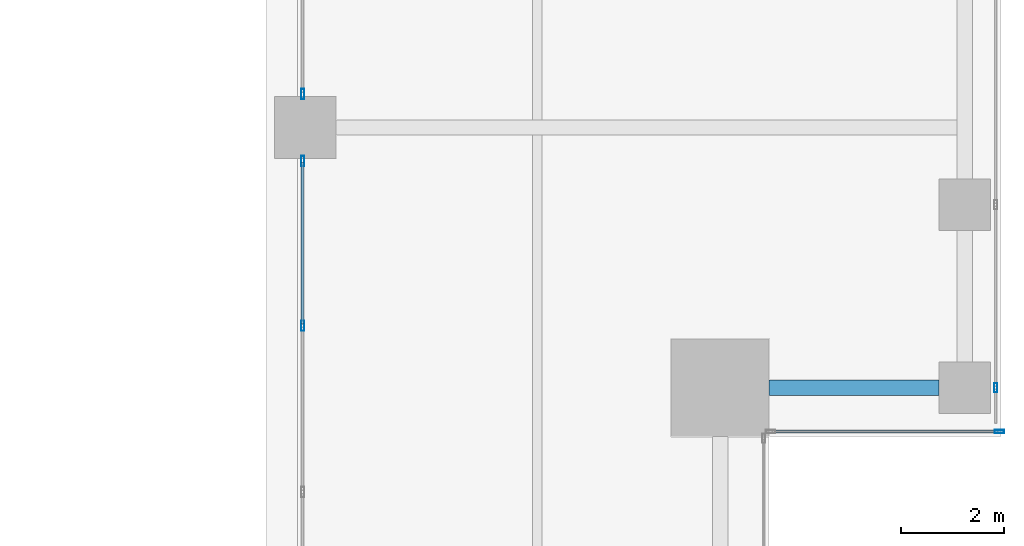
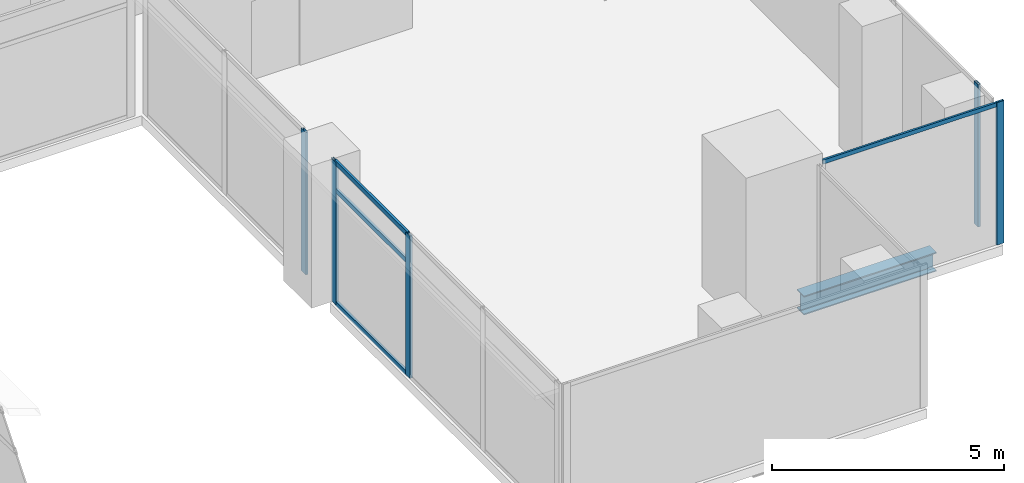
# One storey, part 11 of 38: 9 members, 1 beam, 4 elements without a shape of their own.
"""IFC4 building model written with IfcOpenShell, lengths in metres."""

from ifc_helpers import new_model, si_unit, direction, frame, origin, origin_2d, place, context, subcontext, project, spatial, hollow_rectangle, i_section, extrude, source, transform, mapped, material, material_profile, profile_set, type_object, element, aggregate, save


model = new_model("IFC4")

# Units and contexts
model_context = context("Model", 3, precision=1e-05, world=origin(), true_north=direction((0.0, 1.0)))
body_context = subcontext(model_context, "Body", "Model", "MODEL_VIEW")
ifc_project = project(units=[si_unit("LENGTHUNIT", "METRE"), si_unit("AREAUNIT", "SQUARE_METRE"), si_unit("VOLUMEUNIT", "CUBIC_METRE"), si_unit("PLANEANGLEUNIT", "RADIAN"), si_unit("MASSUNIT", "GRAM", prefix="KILO")], contexts=[model_context])

# Site, building, storey
site_placement = place(None, origin())
site = spatial("IfcSite", under=ifc_project, at=site_placement, CompositionType="ELEMENT")
building_placement = place(site_placement, origin())
building = spatial("IfcBuilding", under=site, at=building_placement, Name="Khomas Fold Tower", CompositionType="ELEMENT")
storey_placement = place(building_placement, frame((0.0, 0.0, 172.699951171875)))
storey = spatial("IfcBuildingStorey", under=building, at=storey_placement, Name="L37", CompositionType="ELEMENT", Elevation=172.699951171875)

# Beam
ifc_material_1 = material(Name="Steel S355", Category="steel")
ifc_material_profile_1 = material_profile(ifc_material_1, i_section(OverallWidth=0.300048828125, OverallDepth=0.5, WebThickness=0.014404296875, FlangeThickness=0.028076171875, at=origin_2d()), Name="HE 500 B")
ifc_profile_set_1 = profile_set([ifc_material_profile_1], Name="Steel S355")
beam_type = type_object("IfcBeamType", Name="HE 500 B spandrel SB3", PredefinedType="SPANDREL", material=ifc_profile_set_1)
shared_shape_1 = source(origin(), body_context, "Body", "SweptSolid", [
    extrude(i_section(OverallWidth=0.300048828125, OverallDepth=0.5, WebThickness=0.014404296875, FlangeThickness=0.028076171875, at=origin_2d()), origin(), (0.0, 0.0, 1.0), 3.300048828125),
])
beam_placement = place(storey_placement, frame((46.5, 8.449951171875, -0.5), z_axis=(1.0, 0.0, 0.0), x_axis=(0.0, 1.0, 0.0)))
element("IfcBeam", 1, at=beam_placement, inside=storey, type_object=beam_type, Name="SB3", PredefinedType="SPANDREL", context=body_context, shape_type="MappedRepresentation", body=[
    mapped(shared_shape_1, transform((0.0, 0.0, 0.0))),
])

# Curtain wall, member
ifc_material_2 = material(Name="Aluminium framed double glazing", Category="aluminium")
curtain_wall_type_1 = type_object("IfcCurtainWallType", Name="SK-Unitised clear-glass wall, office floors CW2", PredefinedType="NOTDEFINED", material=ifc_material_2)
curtain_wall_1_placement = place(storey_placement, origin())
curtain_wall_1 = element("IfcCurtainWall", 2, at=curtain_wall_1_placement, inside=storey, type_object=curtain_wall_type_1, Name="CW2 corner return L37 07", PredefinedType="NOTDEFINED")
ifc_material_3 = material(Name="Aluminium", Category="aluminium")
ifc_material_profile_2 = material_profile(ifc_material_3, hollow_rectangle(XDim=0.06005859375, YDim=0.179931640625, WallThickness=0.00390625, at=origin_2d()), Name="SK-Unitised clear-glass wall, office floors mullion CW2-M")
ifc_profile_set_2 = profile_set([ifc_material_profile_2], Name="Aluminium")
member_type_1 = type_object("IfcMemberType", Name="SK-Unitised clear-glass wall, office floors mullion CW2-M", PredefinedType="MULLION", material=ifc_profile_set_2)
shared_shape_2 = source(origin(), body_context, "Body", "SweptSolid", [
    extrude(hollow_rectangle(XDim=0.06005859375, YDim=0.179931640625, WallThickness=0.00390625, at=origin_2d()), origin(), (0.0, 0.0, 1.0), 3.75),
])
member_1_placement = place(storey_placement, frame((50.969970703125, 7.60009765625, 0.0), z_axis=(0.0, 0.0, 1.0), x_axis=(0.0, 1.0, 0.0)))
member_1 = element("IfcMember", 3, at=member_1_placement, type_object=member_type_1, Name="CW2 mullion 2", PredefinedType="MULLION", context=body_context, shape_type="MappedRepresentation", body=[
    mapped(shared_shape_2, transform((0.0, 0.0, 0.0))),
])

curtain_wall_2_placement = place(storey_placement, origin())
curtain_wall_2 = element("IfcCurtainWall", 4, at=curtain_wall_2_placement, inside=storey, type_object=curtain_wall_type_1, Name="CW2 run L37 08-0", PredefinedType="NOTDEFINED")
member_2_placement = place(storey_placement, frame((50.89990234375, 8.449951171875, 0.0), z_axis=(0.0, 0.0, 1.0), x_axis=(-1.0, 0.0, 0.0)))
member_2 = element("IfcMember", 5, at=member_2_placement, type_object=member_type_1, Name="CW2 mullion 2", PredefinedType="MULLION", context=body_context, shape_type="MappedRepresentation", body=[
    mapped(shared_shape_2, transform((0.0, 0.0, 0.0))),
])
aggregate(curtain_wall_2, [member_2])

# Member
ifc_material_4 = material(Name="Aluminium", Category="aluminium")
ifc_material_profile_3 = material_profile(ifc_material_4, hollow_rectangle(XDim=0.050048828125, YDim=0.110107421875, WallThickness=0.00390625, at=origin_2d()), Name="SK-Unitised clear-glass wall, office floors transom CW2-T")
ifc_profile_set_3 = profile_set([ifc_material_profile_3], Name="Aluminium")
member_type_2 = type_object("IfcMemberType", Name="SK-Unitised clear-glass wall, office floors transom CW2-T", PredefinedType="USERDEFINED", material=ifc_profile_set_3)
shared_shape_3 = source(origin(), body_context, "Body", "SweptSolid", [
    extrude(hollow_rectangle(XDim=0.050048828125, YDim=0.110107421875, WallThickness=0.00390625, at=origin_2d()), origin(), (0.0, 0.0, 1.0), 4.3798828125),
])
member_3_placement = place(storey_placement, frame((46.56005859375, 7.60009765625, 3.695068359375), z_axis=(1.0, 0.0, 0.0), x_axis=(0.0, 1.0, 0.0)))
member_3 = element("IfcMember", 6, at=member_3_placement, type_object=member_type_2, Name="CW2 transom 1", ObjectType="TRANSOM", PredefinedType="USERDEFINED", context=body_context, shape_type="MappedRepresentation", body=[
    mapped(shared_shape_3, transform((0.0, 0.0, 0.0))),
])

aggregate(curtain_wall_1, [member_1, member_3])

# Curtain wall, member
ifc_material_5 = material(Name="Aluminium framed double glazing", Category="aluminium")
curtain_wall_type_2 = type_object("IfcCurtainWallType", Name="Notch glazing GN-CW", PredefinedType="NOTDEFINED", material=ifc_material_5)
curtain_wall_3_placement = place(storey_placement, origin())
curtain_wall_3 = element("IfcCurtainWall", 7, at=curtain_wall_3_placement, inside=storey, type_object=curtain_wall_type_2, Name="Notch glazing run", PredefinedType="NOTDEFINED")
ifc_material_6 = material(Name="Aluminium", Category="aluminium")
ifc_material_profile_4 = material_profile(ifc_material_6, hollow_rectangle(XDim=0.06005859375, YDim=0.199951171875, WallThickness=0.00390625, at=origin_2d()), Name="Notch glazing mullion GN-CW-M")
ifc_profile_set_4 = profile_set([ifc_material_profile_4], Name="Aluminium")
member_type_3 = type_object("IfcMemberType", Name="Notch glazing mullion GN-CW-M", PredefinedType="MULLION", material=ifc_profile_set_4)
shared_shape_4 = source(origin(), body_context, "Body", "SweptSolid", [
    extrude(hollow_rectangle(XDim=0.06005859375, YDim=0.199951171875, WallThickness=0.00390625, at=origin_2d()), origin(), (0.0, 0.0, 1.0), 3.75),
])
member_4_placement = place(storey_placement, frame((37.449951171875, 14.14990234375, 0.0), z_axis=(0.0, 0.0, 1.0), x_axis=(1.0, 0.0, 0.0)))
member_4 = element("IfcMember", 8, at=member_4_placement, type_object=member_type_3, Name="GN-CW mullion 3", PredefinedType="MULLION", context=body_context, shape_type="MappedRepresentation", body=[
    mapped(shared_shape_4, transform((0.0, 0.0, 0.0))),
])
aggregate(curtain_wall_3, [member_4])

# Curtain wall, members
curtain_wall_4_placement = place(storey_placement, origin())
curtain_wall_4 = element("IfcCurtainWall", 9, at=curtain_wall_4_placement, inside=storey, type_object=curtain_wall_type_2, Name="Notch glazing run", PredefinedType="NOTDEFINED")
member_5_placement = place(storey_placement, frame((37.449951171875, 12.85009765625, 0.0), z_axis=(0.0, 0.0, 1.0), x_axis=(1.0, 0.0, 0.0)))
member_5 = element("IfcMember", 10, at=member_5_placement, type_object=member_type_3, Name="GN-CW mullion 1", PredefinedType="MULLION", context=body_context, shape_type="MappedRepresentation", body=[
    mapped(shared_shape_4, transform((0.0, 0.0, 0.0))),
])
member_6_placement = place(storey_placement, frame((37.449951171875, 9.6533203125, 0.0), z_axis=(0.0, 0.0, 1.0), x_axis=(1.0, 0.0, 0.0)))
member_6 = element("IfcMember", 11, at=member_6_placement, type_object=member_type_3, Name="GN-CW mullion 2", PredefinedType="MULLION", context=body_context, shape_type="MappedRepresentation", body=[
    mapped(shared_shape_4, transform((0.0, 0.0, 0.0))),
])
ifc_material_7 = material(Name="Aluminium", Category="aluminium")
ifc_material_profile_5 = material_profile(ifc_material_7, hollow_rectangle(XDim=0.06005859375, YDim=0.1201171875, WallThickness=0.00390625, at=origin_2d()), Name="Notch glazing transom GN-CW-T")
ifc_profile_set_5 = profile_set([ifc_material_profile_5], Name="Aluminium")
member_type_4 = type_object("IfcMemberType", Name="Notch glazing transom GN-CW-T", PredefinedType="USERDEFINED", material=ifc_profile_set_5)
shared_shape_5 = source(origin(), body_context, "Body", "SweptSolid", [
    extrude(hollow_rectangle(XDim=0.06005859375, YDim=0.1201171875, WallThickness=0.00390625, at=origin_2d()), origin(), (0.0, 0.0, 1.0), 3.13671875),
])
member_7_placement = place(storey_placement, frame((37.449951171875, 12.820068359375, 0.030029296875), z_axis=(0.0, -1.0, 0.0), x_axis=(1.0, 0.0, 0.0)))
member_7 = element("IfcMember", 12, at=member_7_placement, type_object=member_type_4, Name="GN-CW transom 1.1", ObjectType="TRANSOM", PredefinedType="USERDEFINED", context=body_context, shape_type="MappedRepresentation", body=[
    mapped(shared_shape_5, transform((0.0, 0.0, 0.0))),
])
member_8_placement = place(storey_placement, frame((37.449951171875, 12.820068359375, 3.0), z_axis=(0.0, -1.0, 0.0), x_axis=(1.0, 0.0, 0.0)))
member_8 = element("IfcMember", 13, at=member_8_placement, type_object=member_type_4, Name="GN-CW transom 1.2", ObjectType="TRANSOM", PredefinedType="USERDEFINED", context=body_context, shape_type="MappedRepresentation", body=[
    mapped(shared_shape_5, transform((0.0, 0.0, 0.0))),
])
member_9_placement = place(storey_placement, frame((37.449951171875, 12.820068359375, 3.719970703125), z_axis=(0.0, -1.0, 0.0), x_axis=(1.0, 0.0, 0.0)))
member_9 = element("IfcMember", 14, at=member_9_placement, type_object=member_type_4, Name="GN-CW transom 1.3", ObjectType="TRANSOM", PredefinedType="USERDEFINED", context=body_context, shape_type="MappedRepresentation", body=[
    mapped(shared_shape_5, transform((0.0, 0.0, 0.0))),
])
aggregate(curtain_wall_4, [member_5, member_6, member_7, member_8, member_9])

save(model, "model.ifc")
